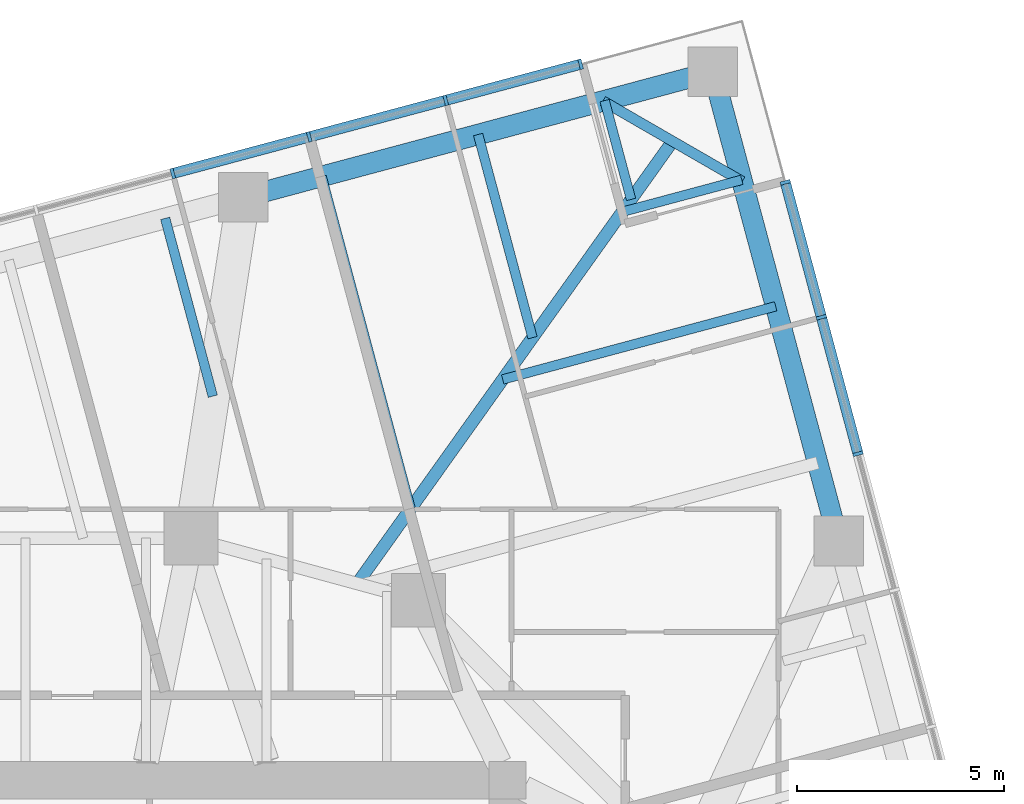
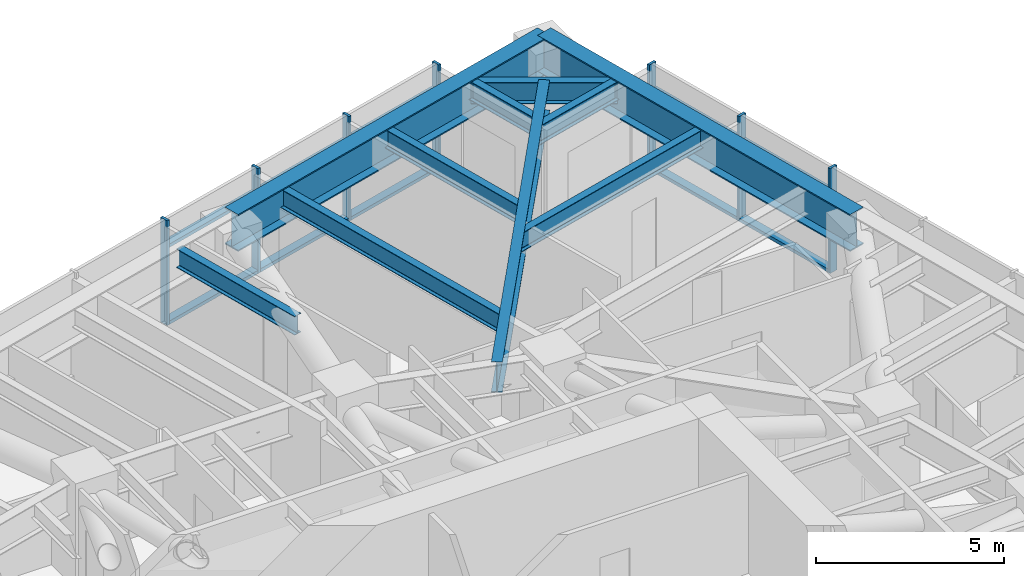
# One storey, part 8 of 18: 17 members, 10 beams, 2 elements without a shape of their own.
"""IFC4 building model written with IfcOpenShell, lengths in metres."""

from ifc_helpers import new_model, si_unit, direction, frame, origin, origin_2d, place, context, subcontext, project, spatial, rectangle, i_section, extrude, material, material_profile, profile_set, type_object, element, aggregate, save


model = new_model("IFC4")

# Units and contexts
model_context = context("Model", 3, precision=1e-05, world=origin(), true_north=direction((0.0, 1.0)))
body_context = subcontext(model_context, "Body", "Model", "MODEL_VIEW")
ifc_project = project(units=[si_unit("LENGTHUNIT", "METRE"), si_unit("AREAUNIT", "SQUARE_METRE"), si_unit("VOLUMEUNIT", "CUBIC_METRE"), si_unit("PLANEANGLEUNIT", "RADIAN"), si_unit("MASSUNIT", "GRAM", prefix="KILO")], contexts=[model_context])

# Site, building, storey
site_placement = place(None, origin())
site = spatial("IfcSite", under=ifc_project, at=site_placement, CompositionType="ELEMENT")
building_placement = place(site_placement, origin())
building = spatial("IfcBuilding", under=site, at=building_placement, Name="Torsade Residences", CompositionType="ELEMENT")
storey_placement = place(building_placement, frame((0.0, 0.0, 135.39990234375)))
storey = spatial("IfcBuildingStorey", under=building, at=storey_placement, Name="L37", CompositionType="ELEMENT", Elevation=135.39990234375)

# Beams
ifc_material_1 = material(Name="Steel grade 300", Category="steel")
ifc_material_profile_1 = material_profile(ifc_material_1, i_section(OverallWidth=0.300048828125, OverallDepth=1.0, WebThickness=0.01611328125, FlangeThickness=0.028076171875, at=origin_2d()), Name="1000WB215")
ifc_profile_set_1 = profile_set([ifc_material_profile_1], Name="Steel grade 300")
beam_type_1 = type_object("IfcBeamType", Name="CORNER GIRDER 1000WB215", PredefinedType="BEAM", material=ifc_profile_set_1)
beam_1_placement = place(storey_placement, frame((55.644775390625, 57.097412109375, 2.7001953125), z_axis=(-0.58060501147, -0.814185372416, 0.0), x_axis=(0.814185372416, -0.58060501147, 0.0)))
element("IfcBeam", 1, at=beam_1_placement, inside=storey, type_object=beam_type_1, Name="Corner girder 09 L38", PredefinedType="BEAM", context=body_context, shape_type="SweptSolid", body=[
    extrude(i_section(OverallWidth=0.300048828125, OverallDepth=1.0, WebThickness=0.01611328125, FlangeThickness=0.028076171875, at=origin_2d()), origin(), (0.0, 0.0, 1.0), 13.134033203125),
])
ifc_material_2 = material(Name="Steel grade 300", Category="steel")
ifc_material_profile_2 = material_profile(ifc_material_2, i_section(OverallWidth=0.25, OverallDepth=0.699951171875, WebThickness=0.010009765625, FlangeThickness=0.02001953125, at=origin_2d()), Name="700WB130")
ifc_profile_set_2 = profile_set([ifc_material_profile_2], Name="Steel grade 300")
beam_type_2 = type_object("IfcBeamType", Name="CORNER TRIMMER 700WB130", PredefinedType="BEAM", material=ifc_profile_set_2)
beam_2_placement = place(storey_placement, frame((53.960693359375, 58.06982421875, 2.85009765625), z_axis=(0.866028782848, -0.499994147244, 0.0), x_axis=(0.499994147244, 0.866028782848, 0.0)))
element("IfcBeam", 2, at=beam_2_placement, inside=storey, type_object=beam_type_2, Name="Corner trimmer 09 L38", PredefinedType="BEAM", context=body_context, shape_type="SweptSolid", body=[
    extrude(i_section(OverallWidth=0.25, OverallDepth=0.699951171875, WebThickness=0.010009765625, FlangeThickness=0.02001953125, at=origin_2d()), origin(), (0.0, 0.0, 1.0), 3.88916015625),
])

# Curtain wall, members
ifc_material_3 = material(Name="Aluminium and glass", Category="aluminium")
curtain_wall_type = type_object("IfcCurtainWallType", Name="FRITTED GLASS CURTAIN WALL MID ZONE", PredefinedType="NOTDEFINED", material=ifc_material_3)
curtain_wall_1_placement = place(storey_placement, origin())
curtain_wall_1 = element("IfcCurtainWall", 3, at=curtain_wall_1_placement, inside=storey, type_object=curtain_wall_type, Name="Curtain wall L37 face 4", PredefinedType="NOTDEFINED")
ifc_material_4 = material(Name="Aluminium mullion", Category="aluminium")
ifc_material_profile_3 = material_profile(ifc_material_4, rectangle(XDim=0.25, YDim=0.080078125, at=origin_2d()), Name="MID ZONE CURTAIN WALL MULLION 250x80")
ifc_profile_set_3 = profile_set([ifc_material_profile_3], Name="Aluminium mullion")
member_type_1 = type_object("IfcMemberType", Name="MID ZONE CURTAIN WALL MULLION 250x80", PredefinedType="MULLION", material=ifc_profile_set_3)
member_1_placement = place(storey_placement, frame((60.1279296875, 49.5419921875, 0.0), z_axis=(0.0, 0.0, 1.0), x_axis=(-0.965925825571, -0.258819047783, 0.0)))
member_1 = element("IfcMember", 4, at=member_1_placement, type_object=member_type_1, Name="Mullion 11", PredefinedType="MULLION", context=body_context, shape_type="SweptSolid", body=[
    extrude(rectangle(XDim=0.25, YDim=0.080078125, at=origin_2d()), origin(), (0.0, 0.0, 1.0), 3.400146484375),
])
member_2_placement = place(storey_placement, frame((59.24365234375, 52.84228515625, 0.0), z_axis=(0.0, 0.0, 1.0), x_axis=(-0.965925825571, -0.258819047783, 0.0)))
member_2 = element("IfcMember", 5, at=member_2_placement, type_object=member_type_1, Name="Mullion 12", PredefinedType="MULLION", context=body_context, shape_type="SweptSolid", body=[
    extrude(rectangle(XDim=0.25, YDim=0.080078125, at=origin_2d()), origin(), (0.0, 0.0, 1.0), 3.400146484375),
])
member_3_placement = place(storey_placement, frame((58.36962890625, 56.10400390625, 0.0), z_axis=(0.0, 0.0, 1.0), x_axis=(-0.965925825571, -0.258819047783, 0.0)))
member_3 = element("IfcMember", 6, at=member_3_placement, type_object=member_type_1, Name="Mullion 13", PredefinedType="MULLION", context=body_context, shape_type="SweptSolid", body=[
    extrude(rectangle(XDim=0.25, YDim=0.080078125, at=origin_2d()), origin(), (0.0, 0.0, 1.0), 3.400146484375),
])

curtain_wall_2_placement = place(storey_placement, origin())
curtain_wall_2 = element("IfcCurtainWall", 7, at=curtain_wall_2_placement, inside=storey, type_object=curtain_wall_type, Name="Curtain wall L37 face 7", PredefinedType="NOTDEFINED")
member_4_placement = place(storey_placement, frame((53.421875, 58.960693359375, 0.0), z_axis=(0.0, 0.0, 1.0), x_axis=(0.258819047783, -0.965925825571, 0.0)))
member_4 = element("IfcMember", 8, at=member_4_placement, type_object=member_type_1, Name="Mullion 1", PredefinedType="MULLION", context=body_context, shape_type="SweptSolid", body=[
    extrude(rectangle(XDim=0.25, YDim=0.080078125, at=origin_2d()), origin(), (0.0, 0.0, 1.0), 3.400146484375),
])
member_5_placement = place(storey_placement, frame((50.16015625, 58.086669921875, 0.0), z_axis=(0.0, 0.0, 1.0), x_axis=(0.258819047783, -0.965925825571, 0.0)))
member_5 = element("IfcMember", 9, at=member_5_placement, type_object=member_type_1, Name="Mullion 2", PredefinedType="MULLION", context=body_context, shape_type="SweptSolid", body=[
    extrude(rectangle(XDim=0.25, YDim=0.080078125, at=origin_2d()), origin(), (0.0, 0.0, 1.0), 3.400146484375),
])
member_6_placement = place(storey_placement, frame((46.85986328125, 57.202392578125, 0.0), z_axis=(0.0, 0.0, 1.0), x_axis=(0.258819047783, -0.965925825571, 0.0)))
member_6 = element("IfcMember", 10, at=member_6_placement, type_object=member_type_1, Name="Mullion 3", PredefinedType="MULLION", context=body_context, shape_type="SweptSolid", body=[
    extrude(rectangle(XDim=0.25, YDim=0.080078125, at=origin_2d()), origin(), (0.0, 0.0, 1.0), 3.400146484375),
])
member_7_placement = place(storey_placement, frame((43.5595703125, 56.318115234375, 0.0), z_axis=(0.0, 0.0, 1.0), x_axis=(0.258819047783, -0.965925825571, 0.0)))
member_7 = element("IfcMember", 11, at=member_7_placement, type_object=member_type_1, Name="Mullion 4", PredefinedType="MULLION", context=body_context, shape_type="SweptSolid", body=[
    extrude(rectangle(XDim=0.25, YDim=0.080078125, at=origin_2d()), origin(), (0.0, 0.0, 1.0), 3.400146484375),
])

# Member
ifc_material_5 = material(Name="Aluminium transom", Category="aluminium")
ifc_material_profile_4 = material_profile(ifc_material_5, rectangle(XDim=0.25, YDim=0.110107421875, at=origin_2d()), Name="MID ZONE CURTAIN WALL TRANSOM 250x110")
ifc_profile_set_4 = profile_set([ifc_material_profile_4], Name="Aluminium transom")
member_type_2 = type_object("IfcMemberType", Name="MID ZONE CURTAIN WALL TRANSOM 250x110", PredefinedType="USERDEFINED", material=ifc_profile_set_4)
member_8_placement = place(storey_placement, frame((60.11767578125, 49.580810546875, 0.05517578125), z_axis=(-0.258805576255, 0.965929435155, 0.0), x_axis=(-0.965929435155, -0.258805576255, 0.0)))
member_8 = element("IfcMember", 12, at=member_8_placement, type_object=member_type_2, Name="Transom 11.1", ObjectType="TRANSOM", PredefinedType="USERDEFINED", context=body_context, shape_type="SweptSolid", body=[
    extrude(rectangle(XDim=0.25, YDim=0.110107421875, at=origin_2d()), origin(), (0.0, 0.0, 1.0), 3.336669921875),
])

member_9_placement = place(storey_placement, frame((60.11767578125, 49.580810546875, 2.55517578125), z_axis=(-0.258805576255, 0.965929435155, 0.0), x_axis=(-0.965929435155, -0.258805576255, 0.0)))
member_9 = element("IfcMember", 13, at=member_9_placement, type_object=member_type_2, Name="Transom 11.2", ObjectType="TRANSOM", PredefinedType="USERDEFINED", context=body_context, shape_type="SweptSolid", body=[
    extrude(rectangle(XDim=0.25, YDim=0.110107421875, at=origin_2d()), origin(), (0.0, 0.0, 1.0), 3.336669921875),
])

member_10_placement = place(storey_placement, frame((59.2333984375, 52.880859375, 0.05517578125), z_axis=(-0.258828627534, 0.965923258633, 0.0), x_axis=(-0.965923258633, -0.258828627534, 0.0)))
member_10 = element("IfcMember", 14, at=member_10_placement, type_object=member_type_2, Name="Transom 12.1", ObjectType="TRANSOM", PredefinedType="USERDEFINED", context=body_context, shape_type="SweptSolid", body=[
    extrude(rectangle(XDim=0.25, YDim=0.110107421875, at=origin_2d()), origin(), (0.0, 0.0, 1.0), 3.296630859375),
])

member_11_placement = place(storey_placement, frame((59.2333984375, 52.880859375, 2.55517578125), z_axis=(-0.258828627534, 0.965923258633, 0.0), x_axis=(-0.965923258633, -0.258828627534, 0.0)))
member_11 = element("IfcMember", 15, at=member_11_placement, type_object=member_type_2, Name="Transom 12.2", ObjectType="TRANSOM", PredefinedType="USERDEFINED", context=body_context, shape_type="SweptSolid", body=[
    extrude(rectangle(XDim=0.25, YDim=0.110107421875, at=origin_2d()), origin(), (0.0, 0.0, 1.0), 3.296630859375),
])

aggregate(curtain_wall_1, [member_1, member_2, member_3, member_8, member_9, member_10, member_11])

member_12_placement = place(storey_placement, frame((53.383056640625, 58.9501953125, 0.05517578125), z_axis=(-0.965923258633, -0.258828627534, 0.0), x_axis=(0.258828627534, -0.965923258633, 0.0)))
member_12 = element("IfcMember", 16, at=member_12_placement, type_object=member_type_2, Name="Transom 1.1", ObjectType="TRANSOM", PredefinedType="USERDEFINED", context=body_context, shape_type="SweptSolid", body=[
    extrude(rectangle(XDim=0.25, YDim=0.110107421875, at=origin_2d()), origin(), (0.0, 0.0, 1.0), 3.296630859375),
])

member_13_placement = place(storey_placement, frame((53.383056640625, 58.9501953125, 2.55517578125), z_axis=(-0.965923258633, -0.258828627534, 0.0), x_axis=(0.258828627534, -0.965923258633, 0.0)))
member_13 = element("IfcMember", 17, at=member_13_placement, type_object=member_type_2, Name="Transom 1.2", ObjectType="TRANSOM", PredefinedType="USERDEFINED", context=body_context, shape_type="SweptSolid", body=[
    extrude(rectangle(XDim=0.25, YDim=0.110107421875, at=origin_2d()), origin(), (0.0, 0.0, 1.0), 3.296630859375),
])

member_14_placement = place(storey_placement, frame((50.12158203125, 58.076416015625, 0.05517578125), z_axis=(-0.965916044226, -0.258855549498, 0.0), x_axis=(0.258855549498, -0.965916044226, 0.0)))
member_14 = element("IfcMember", 18, at=member_14_placement, type_object=member_type_2, Name="Transom 2.1", ObjectType="TRANSOM", PredefinedType="USERDEFINED", context=body_context, shape_type="SweptSolid", body=[
    extrude(rectangle(XDim=0.25, YDim=0.110107421875, at=origin_2d()), origin(), (0.0, 0.0, 1.0), 3.3369140625),
])

member_15_placement = place(storey_placement, frame((50.12158203125, 58.076416015625, 2.55517578125), z_axis=(-0.965916044226, -0.258855549498, 0.0), x_axis=(0.258855549498, -0.965916044226, 0.0)))
member_15 = element("IfcMember", 19, at=member_15_placement, type_object=member_type_2, Name="Transom 2.2", ObjectType="TRANSOM", PredefinedType="USERDEFINED", context=body_context, shape_type="SweptSolid", body=[
    extrude(rectangle(XDim=0.25, YDim=0.110107421875, at=origin_2d()), origin(), (0.0, 0.0, 1.0), 3.3369140625),
])

member_16_placement = place(storey_placement, frame((46.8212890625, 57.192138671875, 0.05517578125), z_axis=(-0.96591114124, -0.258873844232, 0.0), x_axis=(0.258873844232, -0.96591114124, 0.0)))
member_16 = element("IfcMember", 20, at=member_16_placement, type_object=member_type_2, Name="Transom 3.1", ObjectType="TRANSOM", PredefinedType="USERDEFINED", context=body_context, shape_type="SweptSolid", body=[
    extrude(rectangle(XDim=0.25, YDim=0.110107421875, at=origin_2d()), origin(), (0.0, 0.0, 1.0), 3.336669921875),
])

member_17_placement = place(storey_placement, frame((46.8212890625, 57.192138671875, 2.55517578125), z_axis=(-0.96591114124, -0.258873844232, 0.0), x_axis=(0.258873844232, -0.96591114124, 0.0)))
member_17 = element("IfcMember", 21, at=member_17_placement, type_object=member_type_2, Name="Transom 3.2", ObjectType="TRANSOM", PredefinedType="USERDEFINED", context=body_context, shape_type="SweptSolid", body=[
    extrude(rectangle(XDim=0.25, YDim=0.110107421875, at=origin_2d()), origin(), (0.0, 0.0, 1.0), 3.336669921875),
])

aggregate(curtain_wall_2, [member_4, member_5, member_6, member_7, member_12, member_13, member_14, member_15, member_16, member_17])

# Beams
ifc_material_6 = material(Name="Steel grade 300", Category="steel")
ifc_material_profile_5 = material_profile(ifc_material_6, i_section(OverallWidth=0.22900390625, OverallDepth=0.612060546875, WebThickness=0.011962890625, FlangeThickness=0.01953125, FilletRadius=0.013916015625, at=origin_2d()), Name="610UB125")
ifc_profile_set_5 = profile_set([ifc_material_profile_5], Name="Steel grade 300")
beam_type_3 = type_object("IfcBeamType", Name="SECONDARY BEAM 610UB125", PredefinedType="JOIST", material=ifc_profile_set_5)
beam_3_placement = place(storey_placement, frame((58.137451171875, 53.106689453125, 2.89404296875), z_axis=(-0.965927635859, -0.2588122916, 0.0), x_axis=(0.2588122916, -0.965927635859, 0.0)))
element("IfcBeam", 22, at=beam_3_placement, inside=storey, type_object=beam_type_3, Name="Floor beam FE11 L38", PredefinedType="JOIST", context=body_context, shape_type="SweptSolid", body=[
    extrude(i_section(OverallWidth=0.22900390625, OverallDepth=0.612060546875, WebThickness=0.011962890625, FlangeThickness=0.01953125, FilletRadius=0.013916015625, at=origin_2d()), origin(), (0.0, 0.0, 1.0), 6.83251953125),
])
beam_4_placement = place(storey_placement, frame((57.31787109375, 56.16552734375, 2.89404296875), z_axis=(-0.965920003572, -0.258840774802, 0.0), x_axis=(0.258840774802, -0.965920003572, 0.0)))
element("IfcBeam", 23, at=beam_4_placement, inside=storey, type_object=beam_type_3, Name="Floor beam FE12 L38", PredefinedType="JOIST", context=body_context, shape_type="SweptSolid", body=[
    extrude(i_section(OverallWidth=0.22900390625, OverallDepth=0.612060546875, WebThickness=0.011962890625, FlangeThickness=0.01953125, FilletRadius=0.013916015625, at=origin_2d()), origin(), (0.0, 0.0, 1.0), 2.991943359375),
])
beam_5_placement = place(storey_placement, frame((54.0009765625, 58.08056640625, 2.89404296875), z_axis=(0.258798553987, -0.965931316634, 0.0), x_axis=(0.965931316634, 0.258798553987, 0.0)))
element("IfcBeam", 24, at=beam_5_placement, inside=storey, type_object=beam_type_3, Name="Floor beam FN01 L38", PredefinedType="JOIST", context=body_context, shape_type="SweptSolid", body=[
    extrude(i_section(OverallWidth=0.22900390625, OverallDepth=0.612060546875, WebThickness=0.011962890625, FlangeThickness=0.01953125, FilletRadius=0.013916015625, at=origin_2d()), origin(), (0.0, 0.0, 1.0), 2.474365234375),
])
beam_6_placement = place(storey_placement, frame((50.942138671875, 57.260986328125, 2.89404296875), z_axis=(0.258812874871, -0.965927479577, 0.0), x_axis=(0.965927479577, 0.258812874871, 0.0)))
element("IfcBeam", 25, at=beam_6_placement, inside=storey, type_object=beam_type_3, Name="Floor beam FN02 L38", PredefinedType="JOIST", context=body_context, shape_type="SweptSolid", body=[
    extrude(i_section(OverallWidth=0.22900390625, OverallDepth=0.612060546875, WebThickness=0.011962890625, FlangeThickness=0.01953125, FilletRadius=0.013916015625, at=origin_2d()), origin(), (0.0, 0.0, 1.0), 5.08544921875),
])
beam_7_placement = place(storey_placement, frame((47.158935546875, 56.247314453125, 2.89404296875), z_axis=(0.258819249667, -0.965925771476, 0.0), x_axis=(0.965925771476, 0.258819249667, 0.0)))
element("IfcBeam", 26, at=beam_7_placement, inside=storey, type_object=beam_type_3, Name="Floor beam FN03 L38", PredefinedType="JOIST", context=body_context, shape_type="SweptSolid", body=[
    extrude(i_section(OverallWidth=0.22900390625, OverallDepth=0.612060546875, WebThickness=0.011962890625, FlangeThickness=0.01953125, FilletRadius=0.013916015625, at=origin_2d()), origin(), (0.0, 0.0, 1.0), 8.315185546875),
])
beam_8_placement = place(storey_placement, frame((43.375732421875, 55.233642578125, 2.89404296875), z_axis=(0.258836590722, -0.965921124784, 0.0), x_axis=(0.965921124784, 0.258836590722, 0.0)))
element("IfcBeam", 27, at=beam_8_placement, inside=storey, type_object=beam_type_3, Name="Floor beam FN04 L38", PredefinedType="JOIST", context=body_context, shape_type="SweptSolid", body=[
    extrude(i_section(OverallWidth=0.22900390625, OverallDepth=0.612060546875, WebThickness=0.011962890625, FlangeThickness=0.01953125, FilletRadius=0.013916015625, at=origin_2d()), origin(), (0.0, 0.0, 1.0), 4.451904296875),
])
ifc_material_7 = material(Name="Steel grade 300", Category="steel")
ifc_material_profile_6 = material_profile(ifc_material_7, i_section(OverallWidth=0.5, OverallDepth=1.199951171875, WebThickness=0.01611328125, FlangeThickness=0.0400390625, at=origin_2d()), Name="1200WB455")
ifc_profile_set_6 = profile_set([ifc_material_profile_6], Name="Steel grade 300")
beam_type_4 = type_object("IfcBeamType", Name="TRANSFER TRUSS CHORD 1200WB455", PredefinedType="USERDEFINED", material=ifc_profile_set_6)
for number, where, z_axis, x_axis, name in (
    (28, (59.658203125, 47.431884765625, 2.800048828125), (-0.258830249097, 0.965922824118, 0.0), (-0.965922824118, -0.258830249097, 0.0), "Transfer truss TT4 bottom chord 08"),
    (29, (56.616943359375, 58.781494140625, 2.800048828125), (-0.965928018634, -0.258810863021, 0.0), (0.258810863021, -0.965928018634, 0.0), "Transfer truss TT4 bottom chord 09"),
):
    element("IfcBeam", number, at=place(storey_placement, frame(where, z_axis=z_axis, x_axis=x_axis)), inside=storey, type_object=beam_type_4, Name=name, ObjectType="TRANSFER TRUSS CHORD", PredefinedType="USERDEFINED", context=body_context, shape_type="SweptSolid", body=[
        extrude(i_section(OverallWidth=0.5, OverallDepth=1.199951171875, WebThickness=0.01611328125, FlangeThickness=0.0400390625, at=origin_2d()), origin(), (0.0, 0.0, 1.0), 11.75),
    ])

save(model, "model.ifc")
